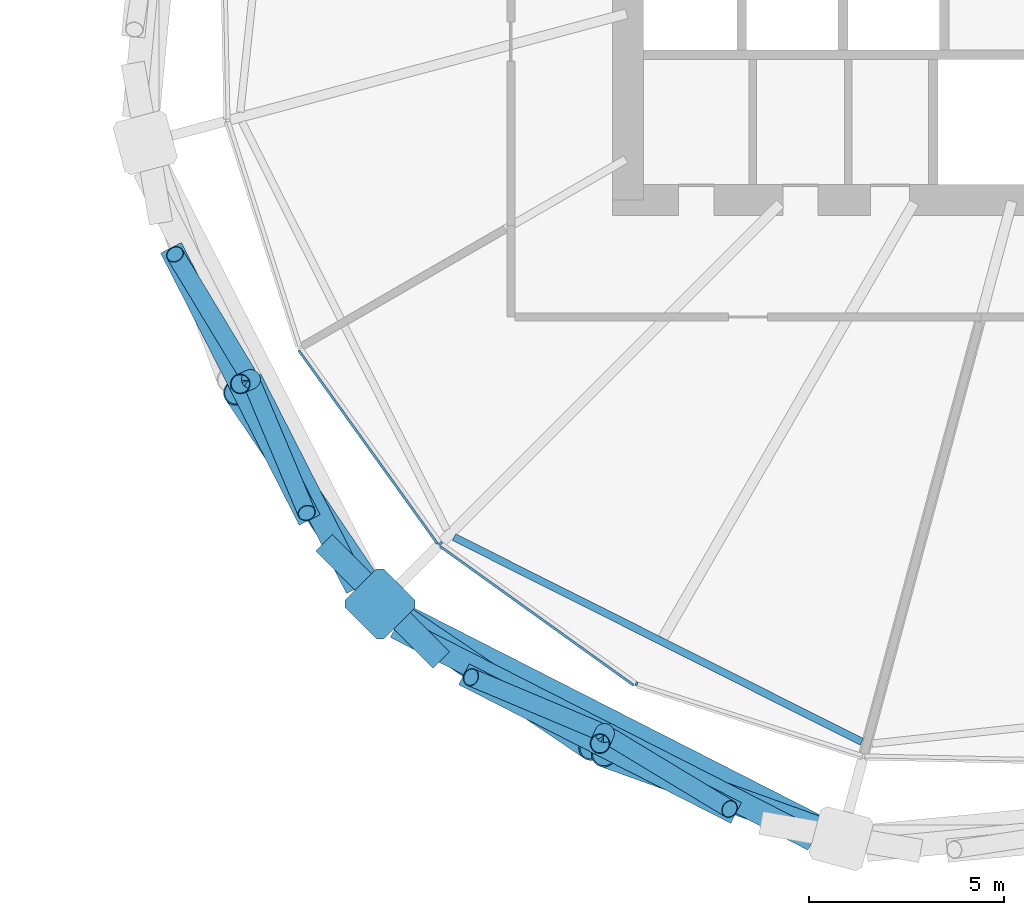
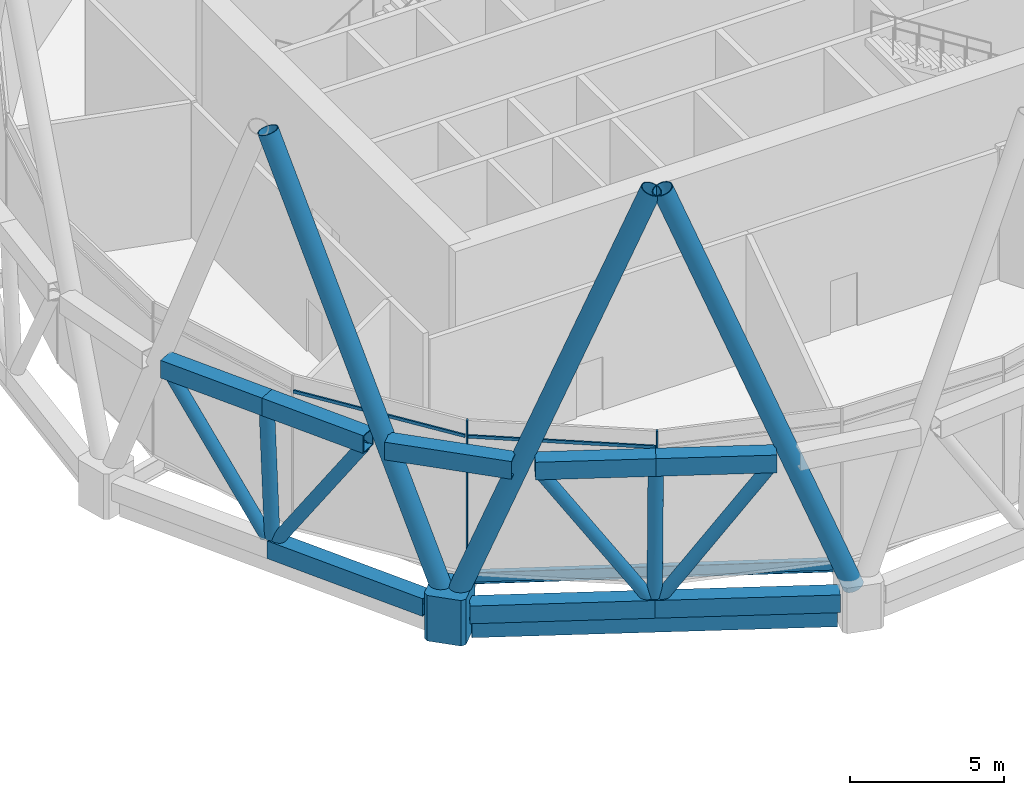
# One storey, part 15 of 33: 22 members, 2 beams, 1 element without a shape of its own.
"""IFC4 building model written with IfcOpenShell, lengths in metres."""

from ifc_helpers import new_model, si_unit, direction, frame, origin, origin_2d, place, context, subcontext, project, spatial, polyline, rectangle, hollow_rectangle, hollow_circle, i_section, outline, extrude, material, material_profile, profile_set, type_object, element, aggregate, save


model = new_model("IFC4")

# Units and contexts
model_context = context("Model", 3, precision=1e-05, world=origin(), true_north=direction((0.0, 1.0)))
body_context = subcontext(model_context, "Body", "Model", "MODEL_VIEW")
ifc_project = project(units=[si_unit("LENGTHUNIT", "METRE"), si_unit("AREAUNIT", "SQUARE_METRE"), si_unit("VOLUMEUNIT", "CUBIC_METRE"), si_unit("PLANEANGLEUNIT", "RADIAN"), si_unit("MASSUNIT", "GRAM", prefix="KILO")], contexts=[model_context])

# Site, building, storey
site_placement = place(None, origin())
site = spatial("IfcSite", under=ifc_project, at=site_placement, CompositionType="ELEMENT")
building_placement = place(site_placement, origin())
building = spatial("IfcBuilding", under=site, at=building_placement, Name="Rimbun Link Towers", CompositionType="ELEMENT")
storey_placement = place(building_placement, frame((0.0, 0.0, 75.60009765625)))
storey = spatial("IfcBuildingStorey", under=building, at=storey_placement, Name="L18", CompositionType="ELEMENT", Elevation=75.60009765625)

# Members
ifc_material_1 = material(Name="Steel S460N", Category="steel")
ifc_material_profile_1 = material_profile(ifc_material_1, hollow_rectangle(XDim=0.60009765625, YDim=0.699951171875, WallThickness=0.034912109375, at=origin_2d()), Name="Belt truss chord BOX 600x700x35")
ifc_profile_set_1 = profile_set([ifc_material_profile_1], Name="Steel S460N")
member_type_1 = type_object("IfcMemberType", Name="Belt truss chord BOX 600x700x35", PredefinedType="CHORD", material=ifc_profile_set_1)
member_1_placement = place(storey_placement, frame((11.958740234375, -16.78662109375, 6.0), z_axis=(0.707106781187, -0.707106781187, 0.0), x_axis=(0.707106781187, 0.707106781187, 0.0)))
element("IfcMember", 1, at=member_1_placement, inside=storey, type_object=member_type_1, Name="Belt truss chord T2 L18 top 06", PredefinedType="CHORD", context=body_context, shape_type="SweptSolid", body=[
    extrude(hollow_rectangle(XDim=0.60009765625, YDim=0.699951171875, WallThickness=0.034912109375, at=origin_2d()), origin(), (0.0, 0.0, 1.0), 4.249267578125),
])
member_2_placement = place(storey_placement, frame((10.0732421875, -12.6015625, 0.18994140625), z_axis=(0.453929433381, -0.891037636416, 0.0), x_axis=(0.891037636416, 0.453929433381, 0.0)))
element("IfcMember", 2, at=member_2_placement, inside=storey, type_object=member_type_1, Name="Belt truss chord T2 L18 bottom 11", PredefinedType="CHORD", context=body_context, shape_type="SweptSolid", body=[
    extrude(hollow_rectangle(XDim=0.60009765625, YDim=0.699951171875, WallThickness=0.034912109375, at=origin_2d()), origin(), (0.0, 0.0, 1.0), 6.0087890625),
])
for number, where, z_axis, x_axis, name in (
    (3, (8.033935546875, -9.226318359375, 6.0), (0.453884686326, -0.891060430902, 0.0), (0.891060430902, 0.453884686326, 0.0), "Belt truss chord T2 L18 top 22"),
    (4, (9.811279296875, -12.715576171875, 6.0), (0.454008902546, -0.890997147251, 0.0), (0.890997147251, 0.454008902546, 0.0), "Belt truss chord T2 L18 top 23"),
):
    element("IfcMember", number, at=place(storey_placement, frame(where, z_axis=z_axis, x_axis=x_axis)), inside=storey, type_object=member_type_1, Name=name, PredefinedType="CHORD", context=body_context, shape_type="SweptSolid", body=[
        extrude(hollow_rectangle(XDim=0.60009765625, YDim=0.699951171875, WallThickness=0.034912109375, at=origin_2d()), origin(), (0.0, 0.0, 1.0), 3.915771484375),
    ])
member_3_placement = place(storey_placement, frame((13.79443359375, -18.94921875, 0.18994140625), z_axis=(0.891037636416, -0.453929433381, 0.0), x_axis=(0.453929433381, 0.891037636416, 0.0)))
element("IfcMember", 5, at=member_3_placement, inside=storey, type_object=member_type_1, Name="Belt truss chord T2 L18 bottom 12", PredefinedType="CHORD", context=body_context, shape_type="SweptSolid", body=[
    extrude(hollow_rectangle(XDim=0.60009765625, YDim=0.699951171875, WallThickness=0.034912109375, at=origin_2d()), origin(), (0.0, 0.0, 1.0), 6.0087890625),
])
member_4_placement = place(storey_placement, frame((19.1484375, -21.6767578125, 0.18994140625), z_axis=(0.891046008056, -0.453912999954, 0.0), x_axis=(0.453912999954, 0.891046008056, 0.0)))
element("IfcMember", 6, at=member_4_placement, inside=storey, type_object=member_type_1, Name="Belt truss chord T2 L18 bottom 13", PredefinedType="CHORD", context=body_context, shape_type="SweptSolid", body=[
    extrude(hollow_rectangle(XDim=0.60009765625, YDim=0.699951171875, WallThickness=0.034912109375, at=origin_2d()), origin(), (0.0, 0.0, 1.0), 6.009033203125),
])
for number, where, z_axis, x_axis, name in (
    (7, (15.54541015625, -20.160888671875, 6.0), (0.890997147251, -0.454008902546, 0.0), (0.454008902546, 0.890997147251, 0.0), "Belt truss chord T2 L18 top 24"),
    (8, (19.034423828125, -21.938720703125, 6.0), (0.891060430902, -0.453884686326, 0.0), (0.453884686326, 0.891060430902, 0.0), "Belt truss chord T2 L18 top 25"),
):
    element("IfcMember", number, at=place(storey_placement, frame(where, z_axis=z_axis, x_axis=x_axis)), inside=storey, type_object=member_type_1, Name=name, PredefinedType="CHORD", context=body_context, shape_type="SweptSolid", body=[
        extrude(hollow_rectangle(XDim=0.60009765625, YDim=0.699951171875, WallThickness=0.034912109375, at=origin_2d()), origin(), (0.0, 0.0, 1.0), 3.915771484375),
    ])
ifc_material_2 = material(Name="Steel S355J2H", Category="steel")
ifc_material_profile_2 = material_profile(ifc_material_2, hollow_circle(Radius=0.228515625, WallThickness=0.01611328125, at=origin_2d()), Name="Belt truss diagonal CHS 457x16")
ifc_profile_set_2 = profile_set([ifc_material_profile_2], Name="Steel S355J2H")
member_type_2 = type_object("IfcMemberType", Name="Belt truss diagonal CHS 457x16", PredefinedType="BRACE", material=ifc_profile_set_2)
member_5_placement = place(storey_placement, frame((9.971435546875, -12.43310546875, 0.4794921875), z_axis=(-0.290418080335, 0.480657370724, 0.827421192975), x_axis=(-0.855899054442, -0.517142928604, 0.0)))
element("IfcMember", 9, at=member_5_placement, inside=storey, type_object=member_type_2, Name="Belt truss diagonal T2 L18 10", PredefinedType="BRACE", context=body_context, shape_type="SweptSolid", body=[
    extrude(hollow_circle(Radius=0.228515625, WallThickness=0.01611328125, at=origin_2d()), origin(), (0.0, 0.0, 1.0), 6.32177734375),
])
for number, where, z_axis, x_axis, name in (
    (10, (10.14892578125, -12.781494140625, 0.480224609375), (0.216455219413, -0.514565342641, 0.82968044821), (0.921765937869, 0.387746767601, 0.0), "Belt truss diagonal T2 L18 11"),
    (11, (18.968505859375, -21.60107421875, 0.480224609375), (-0.514565342641, 0.216455219413, 0.82968044821), (-0.387746767601, -0.921765937869, 0.0), "Belt truss diagonal T2 L18 12"),
):
    element("IfcMember", number, at=place(storey_placement, frame(where, z_axis=z_axis, x_axis=x_axis)), inside=storey, type_object=member_type_2, Name=name, PredefinedType="BRACE", context=body_context, shape_type="SweptSolid", body=[
        extrude(hollow_circle(Radius=0.228515625, WallThickness=0.01611328125, at=origin_2d()), origin(), (0.0, 0.0, 1.0), 6.302734375),
    ])
member_6_placement = place(storey_placement, frame((19.31689453125, -21.778564453125, 0.4794921875), z_axis=(0.480657370724, -0.290418080335, 0.827421192975), x_axis=(0.517142928604, 0.855899054442, 0.0)))
element("IfcMember", 12, at=member_6_placement, inside=storey, type_object=member_type_2, Name="Belt truss diagonal T2 L18 13", PredefinedType="BRACE", context=body_context, shape_type="SweptSolid", body=[
    extrude(hollow_circle(Radius=0.228515625, WallThickness=0.01611328125, at=origin_2d()), origin(), (0.0, 0.0, 1.0), 6.32177734375),
])
ifc_material_3 = material(Name="Steel S355J2H", Category="steel")
ifc_material_profile_3 = material_profile(ifc_material_3, hollow_circle(Radius=0.25390625, WallThickness=0.02001953125, at=origin_2d()), Name="Belt truss strut CHS 508x20")
ifc_profile_set_3 = profile_set([ifc_material_profile_3], Name="Steel S355J2H")
member_type_3 = type_object("IfcMemberType", Name="Belt truss strut CHS 508x20", PredefinedType="STRUT", material=ifc_profile_set_3)
for number, where, z_axis, x_axis, name in (
    (13, (10.0732421875, -12.6015625, 0.539794921875), (-0.051183744168, -0.022276615589, 0.998440772771), (0.399069801079, -0.916920549375, 0.0), "Belt truss strut T2 L18 05"),
    (14, (19.1484375, -21.6767578125, 0.539794921875), (-0.022276615589, -0.051183744168, 0.998440772771), (0.916920549375, -0.399069801079, 0.0), "Belt truss strut T2 L18 06"),
):
    element("IfcMember", number, at=place(storey_placement, frame(where, z_axis=z_axis, x_axis=x_axis)), inside=storey, type_object=member_type_3, Name=name, PredefinedType="STRUT", context=body_context, shape_type="SweptSolid", body=[
        extrude(hollow_circle(Radius=0.25390625, WallThickness=0.02001953125, at=origin_2d()), origin(), (0.0, 0.0, 1.0), 5.1181640625),
    ])

# Curtain wall, members
ifc_material_4 = material(Name="Aluminium 6063-T6 louvre wall", Category="aluminium")
curtain_wall_type = type_object("IfcCurtainWallType", Name="CW6 plant floor louvre wall", PredefinedType="NOTDEFINED", material=ifc_material_4)
curtain_wall_placement = place(storey_placement, origin())
curtain_wall = element("IfcCurtainWall", 15, at=curtain_wall_placement, inside=storey, type_object=curtain_wall_type, Name="CW6 L18 T2", PredefinedType="NOTDEFINED")
ifc_material_5 = material(Name="Aluminium 6063-T6", Category="aluminium")
ifc_material_profile_4 = material_profile(ifc_material_5, rectangle(XDim=0.1201171875, YDim=0.06005859375, at=origin_2d()), Name="MULLION 60X120")
ifc_profile_set_4 = profile_set([ifc_material_profile_4], Name="Aluminium 6063-T6")
member_type_4 = type_object("IfcMemberType", Name="CW6 mullion 60X120", PredefinedType="MULLION", material=ifc_profile_set_4)
member_7_placement = place(storey_placement, frame((14.945068359375, -16.804931640625, 0.0), z_axis=(0.0, 0.0, 1.0), x_axis=(-0.707106781187, -0.707106781187, 0.0)))
member_7 = element("IfcMember", 16, at=member_7_placement, type_object=member_type_4, Name="CW6 mullion", PredefinedType="MULLION", context=body_context, shape_type="SweptSolid", body=[
    extrude(rectangle(XDim=0.1201171875, YDim=0.06005859375, at=origin_2d()), origin(), (0.0, 0.0, 1.0), 6.0),
])
member_8_placement = place(storey_placement, frame((19.969970703125, -20.410888671875, 0.0), z_axis=(0.0, 0.0, 1.0), x_axis=(-0.448572130878, -0.893746632665, 0.0)))
member_8 = element("IfcMember", 17, at=member_8_placement, type_object=member_type_4, Name="CW6 mullion", PredefinedType="MULLION", context=body_context, shape_type="SweptSolid", body=[
    extrude(rectangle(XDim=0.1201171875, YDim=0.06005859375, at=origin_2d()), origin(), (0.0, 0.0, 1.0), 6.0),
])
ifc_material_6 = material(Name="Aluminium 6063-T6", Category="aluminium")
ifc_material_profile_5 = material_profile(ifc_material_6, rectangle(XDim=0.06005859375, YDim=0.1201171875, at=origin_2d()), Name="TRANSOM 60X120")
ifc_profile_set_5 = profile_set([ifc_material_profile_5], Name="Aluminium 6063-T6")
member_type_5 = type_object("IfcMemberType", Name="CW6 transom 60X120", PredefinedType="USERDEFINED", material=ifc_profile_set_5)
member_9_placement = place(storey_placement, frame((14.8642578125, -16.81396484375, 5.39990234375), z_axis=(-0.582995679028, 0.812475253921, 0.0), x_axis=(-0.812475253921, -0.582995679028, 0.0)))
member_9 = element("IfcMember", 18, at=member_9_placement, type_object=member_type_5, Name="CW6 transom", ObjectType="TRANSOM", PredefinedType="USERDEFINED", context=body_context, shape_type="SweptSolid", body=[
    extrude(rectangle(XDim=0.06005859375, YDim=0.1201171875, at=origin_2d()), origin(), (0.0, 0.0, 1.0), 6.105712890625),
])
member_10_placement = place(storey_placement, frame((19.896728515625, -20.4453125, 5.39990234375), z_axis=(-0.812475253921, 0.582995679028, 0.0), x_axis=(-0.582995679028, -0.812475253921, 0.0)))
member_10 = element("IfcMember", 19, at=member_10_placement, type_object=member_type_5, Name="CW6 transom", ObjectType="TRANSOM", PredefinedType="USERDEFINED", context=body_context, shape_type="SweptSolid", body=[
    extrude(rectangle(XDim=0.06005859375, YDim=0.1201171875, at=origin_2d()), origin(), (0.0, 0.0, 1.0), 6.105712890625),
])
aggregate(curtain_wall, [member_7, member_8, member_9, member_10])

# Members
ifc_material_7 = material(Name="Steel S460NH", Category="steel")
ifc_material_profile_6 = material_profile(ifc_material_7, hollow_circle(Radius=0.355712890625, WallThickness=0.031982421875, at=origin_2d()), Name="Diagrid diagonal CHS 711x32")
ifc_profile_set_6 = profile_set([ifc_material_profile_6], Name="Steel S460NH")
member_type_6 = type_object("IfcMemberType", Name="Diagrid diagonal CHS 711x32", PredefinedType="BRACE", material=ifc_profile_set_6)
for number, where, z_axis, x_axis, name in (
    (20, (13.29541015625, -18.2041015625, 0.46630859375), (-0.202084557736, 0.299089569852, 0.932580967386), (-0.828592810601, -0.55985172521, 0.0), "Diagrid diagonal T2 L18-L22 12a"),
    (21, (13.5458984375, -18.45458984375, 0.46630859375), (0.299089569852, -0.202084557736, 0.932580967386), (0.55985172521, 0.828592810601, 0.0), "Diagrid diagonal T2 L18-L22 12b"),
):
    element("IfcMember", number, at=place(storey_placement, frame(where, z_axis=z_axis, x_axis=x_axis)), inside=storey, type_object=member_type_6, Name=name, PredefinedType="BRACE", context=body_context, shape_type="SweptSolid", body=[
        extrude(hollow_circle(Radius=0.355712890625, WallThickness=0.031982421875, at=origin_2d()), origin(), (0.0, 0.0, 1.0), 17.65771484375),
    ])
member_11_placement = place(storey_placement, frame((25.05078125, -24.31591796875, 0.467041015625), z_axis=(-0.33517208912, 0.120946238086, 0.934361642068), x_axis=(-0.339425662915, -0.940632882348, 0.0)))
element("IfcMember", 22, at=member_11_placement, inside=storey, type_object=member_type_6, Name="Diagrid diagonal T2 L18-L22 14a", PredefinedType="BRACE", context=body_context, shape_type="SweptSolid", body=[
    extrude(hollow_circle(Radius=0.355712890625, WallThickness=0.031982421875, at=origin_2d()), origin(), (0.0, 0.0, 1.0), 17.622314453125),
])
ifc_material_8 = material(Name="Cast steel G20Mn5+QT, Rp0.2 300 MPa", Category="steel")
ifc_material_profile_7 = material_profile(ifc_material_8, outline(polyline([(0.699951171875, -0.570068359375), (0.699951171875, 0.570068359375), (0.570068359375, 0.699951171875), (-0.570068359375, 0.699951171875), (-0.699951171875, 0.570068359375), (-0.699951171875, -0.570068359375), (-0.570068359375, -0.699951171875), (0.570068359375, -0.699951171875), (0.699951171875, -0.570068359375)])), Name="NODE 1400x1400")
ifc_profile_set_7 = profile_set([ifc_material_profile_7], Name="Cast steel G20Mn5+QT, Rp0.2 300 MPa")
member_type_7 = type_object("IfcMemberType", Name="Diagrid node cast 1400", PredefinedType="USERDEFINED", material=ifc_profile_set_7)
member_12_placement = place(storey_placement, frame((13.396484375, -18.353515625, -0.900146484375), z_axis=(0.0, 0.0, 1.0), x_axis=(-0.707106781187, -0.707106781187, 0.0)))
element("IfcMember", 23, at=member_12_placement, inside=storey, type_object=member_type_7, Name="Diagrid node L18 12", ObjectType="Diagrid node", PredefinedType="USERDEFINED", context=body_context, shape_type="SweptSolid", body=[
    extrude(outline(polyline([(0.699951171875, -0.570068359375), (0.699951171875, 0.570068359375), (0.570068359375, 0.699951171875), (-0.570068359375, 0.699951171875), (-0.699951171875, 0.570068359375), (-0.699951171875, -0.570068359375), (-0.570068359375, -0.699951171875), (0.570068359375, -0.699951171875), (0.699951171875, -0.570068359375)])), origin(), (0.0, 0.0, 1.0), 1.800048828125),
])

# Beams
ifc_material_9 = material(Name="Steel S355J2", Category="steel")
ifc_material_profile_8 = material_profile(ifc_material_9, hollow_rectangle(XDim=0.60009765625, YDim=0.800048828125, WallThickness=0.0400390625, at=origin_2d()), Name="Exoskeleton ring girder BOX 600x800x40")
ifc_profile_set_8 = profile_set([ifc_material_profile_8], Name="Steel S355J2")
beam_type_1 = type_object("IfcBeamType", Name="Exoskeleton ring girder BOX 600x800x40", PredefinedType="BEAM", material=ifc_profile_set_8)
beam_1_placement = place(storey_placement, frame((14.02001953125, -18.67138671875, -0.56005859375), z_axis=(0.89103635703, -0.453931944734, 0.0), x_axis=(0.453931944734, 0.89103635703, 0.0)))
element("IfcBeam", 24, at=beam_1_placement, inside=storey, type_object=beam_type_1, Name="Exoskeleton ring girder L18 06", PredefinedType="BEAM", context=body_context, shape_type="SweptSolid", body=[
    extrude(hollow_rectangle(XDim=0.60009765625, YDim=0.800048828125, WallThickness=0.0400390625, at=origin_2d()), origin(), (0.0, 0.0, 1.0), 11.867919921875),
])
ifc_material_10 = material(Name="Steel S355J2", Category="steel")
ifc_material_profile_9 = material_profile(ifc_material_10, i_section(OverallWidth=0.18994140625, OverallDepth=0.453369140625, WebThickness=0.008544921875, FlangeThickness=0.0126953125, at=origin_2d()), Name="UB 457x191x67")
ifc_profile_set_9 = profile_set([ifc_material_profile_9], Name="Steel S355J2")
beam_type_2 = type_object("IfcBeamType", Name="UB 457x191x67", PredefinedType="BEAM", material=ifc_profile_set_9)
beam_2_placement = place(storey_placement, frame((15.29296875, -16.64697265625, -0.4267578125), z_axis=(0.893745580068, -0.448574228094, 0.0), x_axis=(0.448574228094, 0.893745580068, 0.0)))
element("IfcBeam", 25, at=beam_2_placement, inside=storey, type_object=beam_type_2, Name="Edge beam T2 L18 12-14", PredefinedType="BEAM", context=body_context, shape_type="SweptSolid", body=[
    extrude(i_section(OverallWidth=0.18994140625, OverallDepth=0.453369140625, WebThickness=0.008544921875, FlangeThickness=0.0126953125, at=origin_2d()), origin(), (0.0, 0.0, 1.0), 11.694580078125),
])

save(model, "model.ifc")
